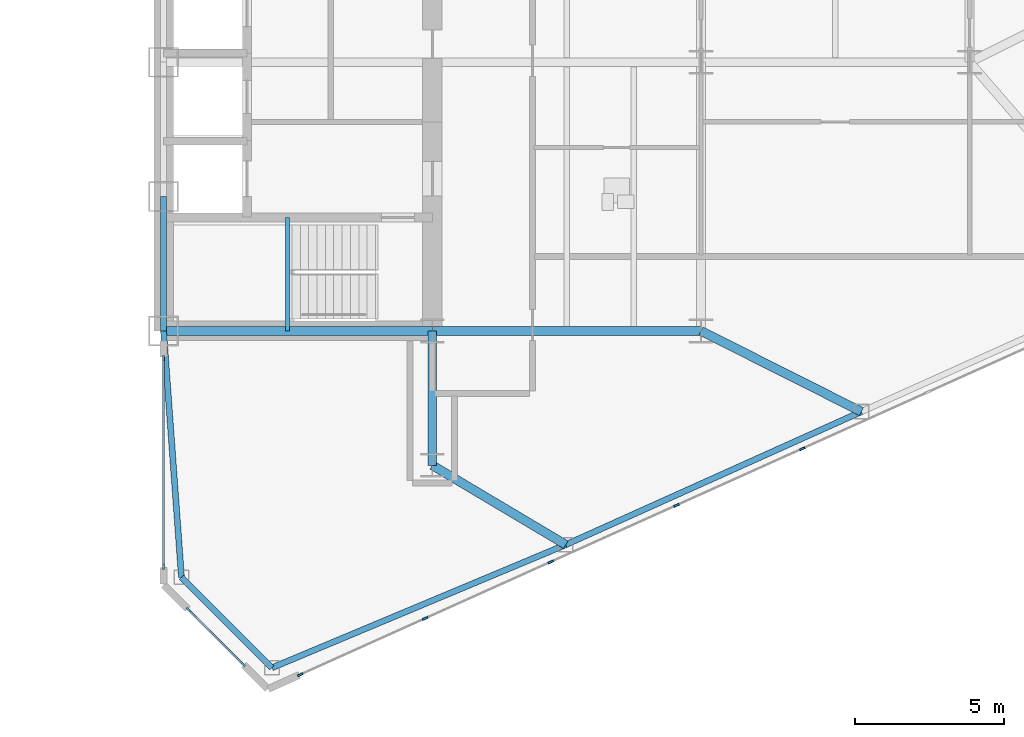
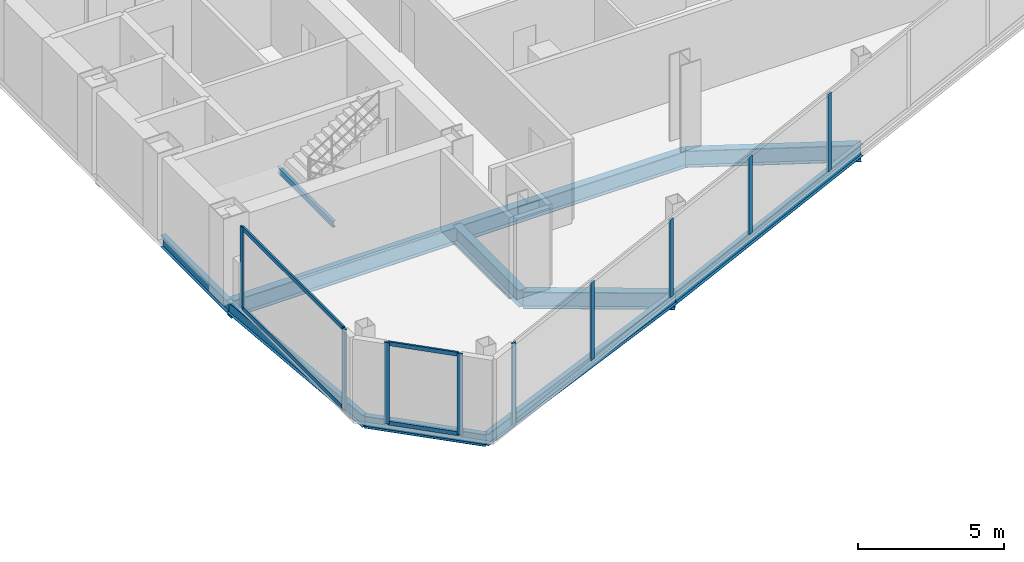
# One storey, part 10 of 27: 13 members, 11 beams, 3 elements without a shape of their own.
"""IFC4 building model written with IfcOpenShell, lengths in metres."""

from ifc_helpers import new_model, si_unit, direction, frame, origin, origin_2d, place, context, subcontext, project, spatial, rectangle, i_section, extrude, source, transform, mapped, material, layer, layer_set, material_profile, profile_set, type_object, type_shapes, element, aggregate, save


model = new_model("IFC4")

# Units and contexts
model_context = context("Model", 3, precision=1e-05, world=origin(), true_north=direction((0.0, 1.0)))
body_context = subcontext(model_context, "Body", "Model", "MODEL_VIEW")
ifc_project = project(units=[si_unit("LENGTHUNIT", "METRE"), si_unit("AREAUNIT", "SQUARE_METRE"), si_unit("VOLUMEUNIT", "CUBIC_METRE"), si_unit("PLANEANGLEUNIT", "RADIAN"), si_unit("MASSUNIT", "GRAM", prefix="KILO")], contexts=[model_context])

# Site, building, storey
site_placement = place(None, origin())
site = spatial("IfcSite", under=ifc_project, at=site_placement, CompositionType="ELEMENT")
building_placement = place(site_placement, origin())
building = spatial("IfcBuilding", under=site, at=building_placement, Name="Seokmaru Belvedere", CompositionType="ELEMENT")
storey_placement = place(building_placement, frame((0.0, 0.0, 106.800048828125)))
storey = spatial("IfcBuildingStorey", under=building, at=storey_placement, Name="L28", CompositionType="ELEMENT", Elevation=106.800048828125)

# Beams
ifc_material_1 = material(Name="Steel SM355 (355 MPa)", Category="steel")
ifc_material_profile_1 = material_profile(ifc_material_1, i_section(OverallWidth=0.199951171875, OverallDepth=0.5, WebThickness=0.010009765625, FlangeThickness=0.01611328125, at=origin_2d()), Name="H-500x200x10x16")
ifc_profile_set_1 = profile_set([ifc_material_profile_1], Name="Steel SM355 (355 MPa)")
beam_type_1 = type_object("IfcBeamType", Name="Perimeter Spandrel Beam H-500", PredefinedType="SPANDREL", material=ifc_profile_set_1)
shared_shape_1 = source(origin(), body_context, "Body", "SweptSolid", [
    extrude(i_section(OverallWidth=0.199951171875, OverallDepth=0.5, WebThickness=0.010009765625, FlangeThickness=0.01611328125, at=origin_2d()), origin(), (0.0, 0.0, 1.0), 4.5),
])
beam_1_placement = place(storey_placement, frame((27.5, -13.5, -0.469970703125), z_axis=(0.0, 1.0, 0.0), x_axis=(-1.0, 0.0, 0.0)))
element("IfcBeam", 1, at=beam_1_placement, inside=storey, type_object=beam_type_1, Name="L28 E Portal Spine Spandrel 1", PredefinedType="SPANDREL", context=body_context, shape_type="MappedRepresentation", body=[
    mapped(shared_shape_1, transform((0.0, 0.0, 0.0), scale=1.0)),
])
ifc_material_profile_2 = material_profile(ifc_material_1, i_section(OverallWidth=0.300048828125, OverallDepth=0.699951171875, WebThickness=0.012939453125, FlangeThickness=0.02392578125, at=origin_2d()), Name="H-700x300x13x24")
ifc_profile_set_2 = profile_set([ifc_material_profile_2], Name="Steel SM355 (355 MPa)")
beam_type_2 = type_object("IfcBeamType", Name="Primary Floor Girder H-700", PredefinedType="BEAM", material=ifc_profile_set_2)
shared_shape_2 = source(origin(), body_context, "Body", "SweptSolid", [
    extrude(i_section(OverallWidth=0.300048828125, OverallDepth=0.699951171875, WebThickness=0.012939453125, FlangeThickness=0.02392578125, at=origin_2d()), origin(), (0.0, 0.0, 1.0), 4.5),
])
beam_2_placement = place(storey_placement, frame((36.5, -18.0, -0.570068359375), z_axis=(0.0, 1.0, 0.0), x_axis=(-1.0, 0.0, 0.0)))
element("IfcBeam", 2, at=beam_2_placement, inside=storey, type_object=beam_type_2, Name="L28 E Core Shoulder Girder S", PredefinedType="BEAM", context=body_context, shape_type="MappedRepresentation", body=[
    mapped(shared_shape_2, transform((0.0, 0.0, 0.0), scale=1.0)),
])
shared_shape_3 = source(origin(), body_context, "Body", "SweptSolid", [
    extrude(i_section(OverallWidth=0.300048828125, OverallDepth=0.699951171875, WebThickness=0.012939453125, FlangeThickness=0.02392578125, at=origin_2d()), origin(), (0.0, 0.0, 1.0), 9.0),
])
for number, where, z_axis, x_axis, name in (
    (3, (27.5, -13.5, -0.570068359375), (1.0, 0.0, 0.0), (0.0, 1.0, 0.0), "L28 E Core Tie Girder 1"),
    (4, (36.5, -13.5, -0.570068359375), (1.0, 0.0, 0.0), (0.0, 1.0, 0.0), "L28 E Wing Primary Girder 1"),
):
    element("IfcBeam", number, at=place(storey_placement, frame(where, z_axis=z_axis, x_axis=x_axis)), inside=storey, type_object=beam_type_2, Name=name, PredefinedType="BEAM", context=body_context, shape_type="MappedRepresentation", body=[
        mapped(shared_shape_3, transform((0.0, 0.0, 0.0), scale=1.0)),
    ])
shared_shape_4 = source(origin(), body_context, "Body", "SweptSolid", [
    extrude(i_section(OverallWidth=0.199951171875, OverallDepth=0.5, WebThickness=0.010009765625, FlangeThickness=0.01611328125, at=origin_2d()), origin(), (0.0, 0.0, 1.0), 10.66943359375),
])
beam_3_placement = place(storey_placement, frame((31.13134765625, -24.782958984375, -0.469970703125), z_axis=(0.922375393128, 0.386294750355, 0.0), x_axis=(-0.386294750355, 0.922375393128, 0.0)))
element("IfcBeam", 5, at=beam_3_placement, inside=storey, type_object=beam_type_1, Name="L28 E Faceted Flank Spandrel S-1", PredefinedType="SPANDREL", context=body_context, shape_type="MappedRepresentation", body=[
    mapped(shared_shape_4, transform((0.0, 0.0, 0.0), scale=1.0)),
])
shared_shape_5 = source(origin(), body_context, "Body", "SweptSolid", [
    extrude(i_section(OverallWidth=0.199951171875, OverallDepth=0.5, WebThickness=0.010009765625, FlangeThickness=0.01611328125, at=origin_2d()), origin(), (0.0, 0.0, 1.0), 10.85888671875),
])
beam_4_placement = place(storey_placement, frame((40.97265625, -20.661376953125, -0.469970703125), z_axis=(0.911921505175, 0.410364677329, 0.0), x_axis=(-0.410364677329, 0.911921505175, 0.0)))
element("IfcBeam", 6, at=beam_4_placement, inside=storey, type_object=beam_type_1, Name="L28 E Faceted Flank Spandrel S-2", PredefinedType="SPANDREL", context=body_context, shape_type="MappedRepresentation", body=[
    mapped(shared_shape_5, transform((0.0, 0.0, 0.0), scale=1.0)),
])
shared_shape_6 = source(origin(), body_context, "Body", "SweptSolid", [
    extrude(i_section(OverallWidth=0.199951171875, OverallDepth=0.5, WebThickness=0.010009765625, FlangeThickness=0.01611328125, at=origin_2d()), origin(), (0.0, 0.0, 1.0), 4.287109375),
])
beam_5_placement = place(storey_placement, frame((31.13134765625, -24.782958984375, -0.469970703125), z_axis=(-0.707078306132, 0.707135255094, 0.0), x_axis=(-0.707135255094, -0.707078306132, 0.0)))
element("IfcBeam", 7, at=beam_5_placement, inside=storey, type_object=beam_type_1, Name="L28 E Shoulder Chamfer Spandrel S", PredefinedType="SPANDREL", context=body_context, shape_type="MappedRepresentation", body=[
    mapped(shared_shape_6, transform((0.0, 0.0, 0.0), scale=1.0)),
])
shared_shape_7 = source(origin(), body_context, "Body", "SweptSolid", [
    extrude(i_section(OverallWidth=0.199951171875, OverallDepth=0.5, WebThickness=0.010009765625, FlangeThickness=0.01611328125, at=origin_2d()), origin(), (0.0, 0.0, 1.0), 8.273193359375),
])
type_shapes(beam_type_1, [shared_shape_1, shared_shape_4, shared_shape_5, shared_shape_6, shared_shape_7])
beam_6_placement = place(storey_placement, frame((28.10009765625, -21.75146484375, -0.469970703125), z_axis=(-0.072534628348, 0.99736589459, 0.0), x_axis=(-0.99736589459, -0.072534628348, 0.0)))
element("IfcBeam", 8, at=beam_6_placement, inside=storey, type_object=beam_type_1, Name="L28 E Shoulder Spine Spandrel S", PredefinedType="SPANDREL", context=body_context, shape_type="MappedRepresentation", body=[
    mapped(shared_shape_7, transform((0.0, 0.0, 0.0), scale=1.0)),
])
shared_shape_8 = source(origin(), body_context, "Body", "SweptSolid", [
    extrude(i_section(OverallWidth=0.300048828125, OverallDepth=0.699951171875, WebThickness=0.012939453125, FlangeThickness=0.02392578125, at=origin_2d()), origin(), (0.0, 0.0, 1.0), 5.20458984375),
])
beam_7_placement = place(storey_placement, frame((40.97265625, -20.661376953125, -0.570068359375), z_axis=(-0.859370434188, 0.511353553662, 0.0), x_axis=(-0.511353553662, -0.859370434188, 0.0)))
element("IfcBeam", 9, at=beam_7_placement, inside=storey, type_object=beam_type_2, Name="L28 E Flank Radial Floor Girder S-1", PredefinedType="BEAM", context=body_context, shape_type="MappedRepresentation", body=[
    mapped(shared_shape_8, transform((0.0, 0.0, 0.0), scale=1.0)),
])
shared_shape_9 = source(origin(), body_context, "Body", "SweptSolid", [
    extrude(i_section(OverallWidth=0.300048828125, OverallDepth=0.699951171875, WebThickness=0.012939453125, FlangeThickness=0.02392578125, at=origin_2d()), origin(), (0.0, 0.0, 1.0), 6.017333984375),
])
type_shapes(beam_type_2, [shared_shape_2, shared_shape_3, shared_shape_8, shared_shape_9])
beam_8_placement = place(storey_placement, frame((50.875, -16.205322265625, -0.570068359375), z_axis=(-0.893239341975, 0.449581447512, 0.0), x_axis=(-0.449581447512, -0.893239341975, 0.0)))
element("IfcBeam", 10, at=beam_8_placement, inside=storey, type_object=beam_type_2, Name="L28 E Flank Radial Floor Girder S-2", PredefinedType="BEAM", context=body_context, shape_type="MappedRepresentation", body=[
    mapped(shared_shape_9, transform((0.0, 0.0, 0.0), scale=1.0)),
])

# Curtain wall, member
ifc_material_2 = material(Name="Bronze Triple Insulating Glass", Category="glass")
ifc_layer = layer(ifc_material_2, 0.195068359375)
ifc_layer_set = layer_set([ifc_layer], Name="Bronze Triple Insulating Glass")
curtain_wall_type = type_object("IfcCurtainWallType", Name="Lower-Mid Tapered Curtain Wall System CW-3", PredefinedType="NOTDEFINED", material=ifc_layer_set)
curtain_wall_1_placement = place(storey_placement, origin())
curtain_wall_1 = element("IfcCurtainWall", 11, at=curtain_wall_1_placement, inside=storey, type_object=curtain_wall_type, Name="L28 Curtain Wall EF1", PredefinedType="NOTDEFINED")
ifc_material_3 = material(Name="Anodised Bronze Aluminium", Category="aluminium")
ifc_material_profile_3 = material_profile(ifc_material_3, rectangle(XDim=0.070068359375, YDim=0.195068359375, at=origin_2d()), Name="CW-M-70x195")
ifc_profile_set_3 = profile_set([ifc_material_profile_3], Name="Anodised Bronze Aluminium")
member_type_1 = type_object("IfcMemberType", Name="Bronze Unitised Mullion 70x195", PredefinedType="MULLION", material=ifc_profile_set_3)
shared_shape_10 = source(origin(), body_context, "Body", "SweptSolid", [
    extrude(rectangle(XDim=0.070068359375, YDim=0.195068359375, at=origin_2d()), origin(), (0.0, 0.0, 1.0), 3.3798828125),
])
member_1_placement = place(storey_placement, frame((32.08056640625, -25.013671875, 0.0), z_axis=(0.0, 0.0, 1.0), x_axis=(-0.41036554765, 0.91192111353, 0.0)))
member_1 = element("IfcMember", 12, at=member_1_placement, type_object=member_type_1, Name="CW:L28:EF1 Mullion 1", PredefinedType="MULLION", context=body_context, shape_type="MappedRepresentation", body=[
    mapped(shared_shape_10, transform((0.0, 0.0, 0.0), scale=1.0)),
])

# Curtain wall, members
curtain_wall_2_placement = place(storey_placement, origin())
curtain_wall_2 = element("IfcCurtainWall", 13, at=curtain_wall_2_placement, inside=storey, type_object=curtain_wall_type, Name="L28 Curtain Wall ESP_1", PredefinedType="NOTDEFINED")
member_2_placement = place(storey_placement, frame((27.5, -14.4150390625, 0.0), z_axis=(0.0, 0.0, 1.0), x_axis=(1.0, 0.0, 0.0)))
member_2 = element("IfcMember", 14, at=member_2_placement, type_object=member_type_1, Name="CW:L28:ESP_1 Mullion 1", PredefinedType="MULLION", context=body_context, shape_type="MappedRepresentation", body=[
    mapped(shared_shape_10, transform((0.0, 0.0, 0.0), scale=1.0)),
])
member_3_placement = place(storey_placement, frame((27.5, -21.39501953125, 0.0), z_axis=(0.0, 0.0, 1.0), x_axis=(1.0, 0.0, 0.0)))
member_3 = element("IfcMember", 15, at=member_3_placement, type_object=member_type_1, Name="CW:L28:ESP_1 Mullion 2", PredefinedType="MULLION", context=body_context, shape_type="MappedRepresentation", body=[
    mapped(shared_shape_10, transform((0.0, 0.0, 0.0), scale=1.0)),
])

curtain_wall_3_placement = place(storey_placement, origin())
curtain_wall_3 = element("IfcCurtainWall", 16, at=curtain_wall_3_placement, inside=storey, type_object=curtain_wall_type, Name="L28 Curtain Wall EF6", PredefinedType="NOTDEFINED")
member_4_placement = place(storey_placement, frame((28.337890625, -22.837890625, 0.0), z_axis=(0.0, 0.0, 1.0), x_axis=(0.707106781187, 0.707106781187, 0.0)))
member_4 = element("IfcMember", 17, at=member_4_placement, type_object=member_type_1, Name="CW:L28:EF6 Mullion 1", PredefinedType="MULLION", context=body_context, shape_type="MappedRepresentation", body=[
    mapped(shared_shape_10, transform((0.0, 0.0, 0.0), scale=1.0)),
])
member_5_placement = place(storey_placement, frame((30.162109375, -24.662109375, 0.0), z_axis=(0.0, 0.0, 1.0), x_axis=(0.707106781187, 0.707106781187, 0.0)))
member_5 = element("IfcMember", 18, at=member_5_placement, type_object=member_type_1, Name="CW:L28:EF6 Mullion 2", PredefinedType="MULLION", context=body_context, shape_type="MappedRepresentation", body=[
    mapped(shared_shape_10, transform((0.0, 0.0, 0.0), scale=1.0)),
])

# Member
ifc_material_profile_4 = material_profile(ifc_material_3, rectangle(XDim=0.070068359375, YDim=0.1650390625, at=origin_2d()), Name="CW-T-70x165")
ifc_profile_set_4 = profile_set([ifc_material_profile_4], Name="Anodised Bronze Aluminium")
member_type_2 = type_object("IfcMemberType", Name="Bronze Unitised Transom 70x165", PredefinedType="USERDEFINED", material=ifc_profile_set_4)
shared_shape_11 = source(origin(), body_context, "Body", "SweptSolid", [
    extrude(rectangle(XDim=0.070068359375, YDim=0.1650390625, at=origin_2d()), origin(), (0.0, 0.0, 1.0), 6.91015625),
])
member_6_placement = place(storey_placement, frame((27.5, -14.449951171875, 0.034912109375), z_axis=(0.0, -1.0, 0.0), x_axis=(1.0, 0.0, 0.0)))
member_6 = element("IfcMember", 19, at=member_6_placement, type_object=member_type_2, Name="CW:L28:ESP_1 Continuous Transom 1", ObjectType="TRANSOM", PredefinedType="USERDEFINED", context=body_context, shape_type="MappedRepresentation", body=[
    mapped(shared_shape_11, transform((0.0, 0.0, 0.0), scale=1.0)),
])

member_7_placement = place(storey_placement, frame((27.5, -14.449951171875, 3.344970703125), z_axis=(0.0, -1.0, 0.0), x_axis=(1.0, 0.0, 0.0)))
member_7 = element("IfcMember", 20, at=member_7_placement, type_object=member_type_2, Name="CW:L28:ESP_1 Continuous Transom 2", ObjectType="TRANSOM", PredefinedType="USERDEFINED", context=body_context, shape_type="MappedRepresentation", body=[
    mapped(shared_shape_11, transform((0.0, 0.0, 0.0), scale=1.0)),
])

aggregate(curtain_wall_2, [member_2, member_3, member_6, member_7])

shared_shape_12 = source(origin(), body_context, "Body", "SweptSolid", [
    extrude(rectangle(XDim=0.070068359375, YDim=0.1650390625, at=origin_2d()), origin(), (0.0, 0.0, 1.0), 2.509521484375),
])
type_shapes(member_type_2, [shared_shape_11, shared_shape_12])
member_8_placement = place(storey_placement, frame((28.36279296875, -22.86279296875, 0.034912109375), z_axis=(0.707106781187, -0.707106781187, 0.0), x_axis=(0.707106781187, 0.707106781187, 0.0)))
member_8 = element("IfcMember", 21, at=member_8_placement, type_object=member_type_2, Name="CW:L28:EF6 Continuous Transom 1", ObjectType="TRANSOM", PredefinedType="USERDEFINED", context=body_context, shape_type="MappedRepresentation", body=[
    mapped(shared_shape_12, transform((0.0, 0.0, 0.0), scale=1.0)),
])

member_9_placement = place(storey_placement, frame((28.36279296875, -22.86279296875, 3.344970703125), z_axis=(0.707106781187, -0.707106781187, 0.0), x_axis=(0.707106781187, 0.707106781187, 0.0)))
member_9 = element("IfcMember", 22, at=member_9_placement, type_object=member_type_2, Name="CW:L28:EF6 Continuous Transom 2", ObjectType="TRANSOM", PredefinedType="USERDEFINED", context=body_context, shape_type="MappedRepresentation", body=[
    mapped(shared_shape_12, transform((0.0, 0.0, 0.0), scale=1.0)),
])

aggregate(curtain_wall_3, [member_4, member_5, member_8, member_9])

shared_shape_13 = source(origin(), body_context, "Body", "SweptSolid", [
    extrude(rectangle(XDim=0.070068359375, YDim=0.195068359375, at=origin_2d()), origin(), (0.0, 0.0, 1.0), 3.239990234375),
])
type_shapes(member_type_1, [shared_shape_10, shared_shape_13])
member_10_placement = place(storey_placement, frame((36.260009765625, -23.133056640625, 0.070068359375), z_axis=(0.0, 0.0, 1.0), x_axis=(-0.41036554765, 0.91192111353, 0.0)))
member_10 = element("IfcMember", 23, at=member_10_placement, type_object=member_type_1, Name="CW:L28:EF1 Mullion 2", PredefinedType="MULLION", context=body_context, shape_type="MappedRepresentation", body=[
    mapped(shared_shape_13, transform((0.0, 0.0, 0.0), scale=1.0)),
])

member_11_placement = place(storey_placement, frame((40.471435546875, -21.23779296875, 0.070068359375), z_axis=(0.0, 0.0, 1.0), x_axis=(-0.41036554765, 0.91192111353, 0.0)))
member_11 = element("IfcMember", 24, at=member_11_placement, type_object=member_type_1, Name="CW:L28:EF1 Mullion 3", PredefinedType="MULLION", context=body_context, shape_type="MappedRepresentation", body=[
    mapped(shared_shape_13, transform((0.0, 0.0, 0.0), scale=1.0)),
])

member_12_placement = place(storey_placement, frame((44.682861328125, -19.3427734375, 0.070068359375), z_axis=(0.0, 0.0, 1.0), x_axis=(-0.41036554765, 0.91192111353, 0.0)))
member_12 = element("IfcMember", 25, at=member_12_placement, type_object=member_type_1, Name="CW:L28:EF1 Mullion 4", PredefinedType="MULLION", context=body_context, shape_type="MappedRepresentation", body=[
    mapped(shared_shape_13, transform((0.0, 0.0, 0.0), scale=1.0)),
])

member_13_placement = place(storey_placement, frame((48.894287109375, -17.447509765625, 0.070068359375), z_axis=(0.0, 0.0, 1.0), x_axis=(-0.41036554765, 0.91192111353, 0.0)))
member_13 = element("IfcMember", 26, at=member_13_placement, type_object=member_type_1, Name="CW:L28:EF1 Mullion 5", PredefinedType="MULLION", context=body_context, shape_type="MappedRepresentation", body=[
    mapped(shared_shape_13, transform((0.0, 0.0, 0.0), scale=1.0)),
])

aggregate(curtain_wall_1, [member_1, member_10, member_11, member_12, member_13])

# Beam
ifc_material_profile_5 = material_profile(ifc_material_1, i_section(OverallWidth=0.125, OverallDepth=0.25, WebThickness=0.006103515625, FlangeThickness=0.009033203125, at=origin_2d()), Name="H-250x125x6x9")
ifc_profile_set_5 = profile_set([ifc_material_profile_5], Name="Steel SM355 (355 MPa)")
beam_type_3 = type_object("IfcBeamType", Name="Stair Mid-Landing Support Beam H-250", PredefinedType="JOIST", material=ifc_profile_set_5)
shared_shape_14 = source(origin(), body_context, "Body", "SweptSolid", [
    extrude(i_section(OverallWidth=0.125, OverallDepth=0.25, WebThickness=0.006103515625, FlangeThickness=0.009033203125, at=origin_2d()), origin(), (0.0, 0.0, 1.0), 3.800048828125),
])
type_shapes(beam_type_3, [shared_shape_14])
beam_9_placement = place(storey_placement, frame((31.64990234375, -13.5, 1.474853515625), z_axis=(0.0, 1.0, 0.0), x_axis=(-1.0, 0.0, 0.0)))
element("IfcBeam", 27, at=beam_9_placement, inside=storey, type_object=beam_type_3, Name="L28 Stair ST-E1 Mid-Landing Support Beam 1", PredefinedType="JOIST", context=body_context, shape_type="MappedRepresentation", body=[
    mapped(shared_shape_14, transform((0.0, 0.0, 0.0), scale=1.0)),
])

save(model, "model.ifc")
